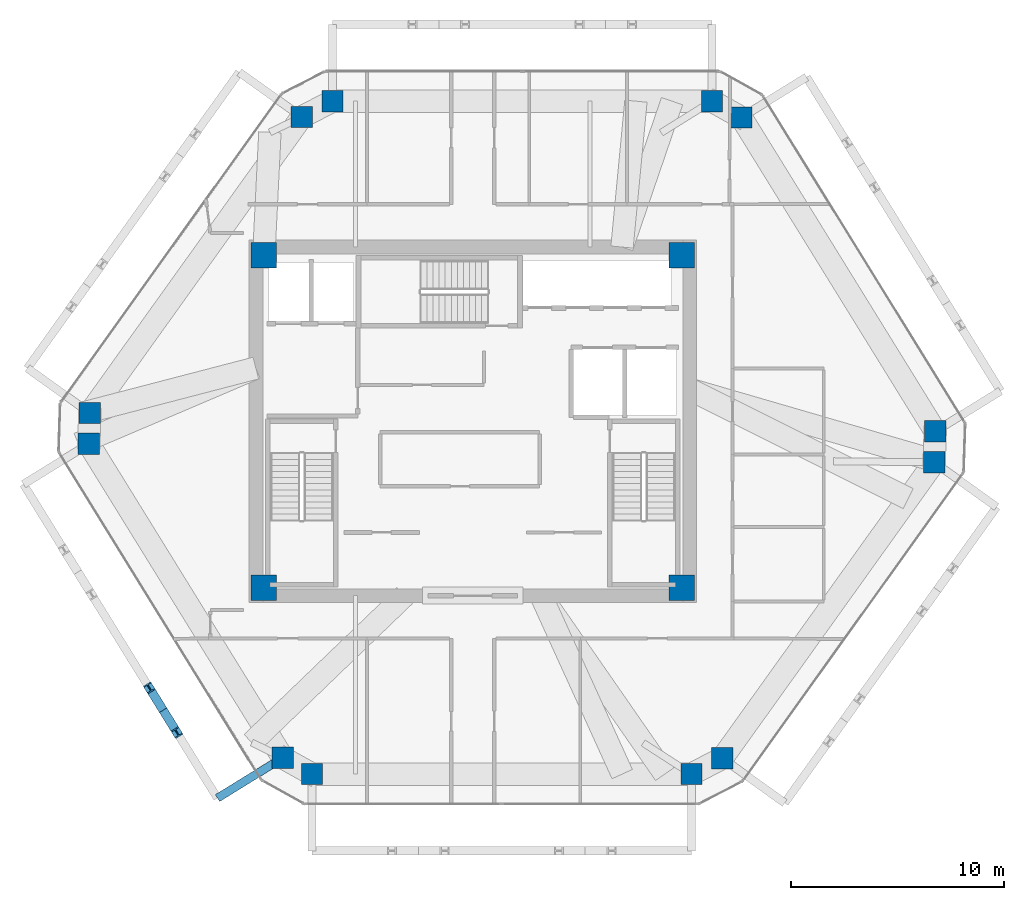
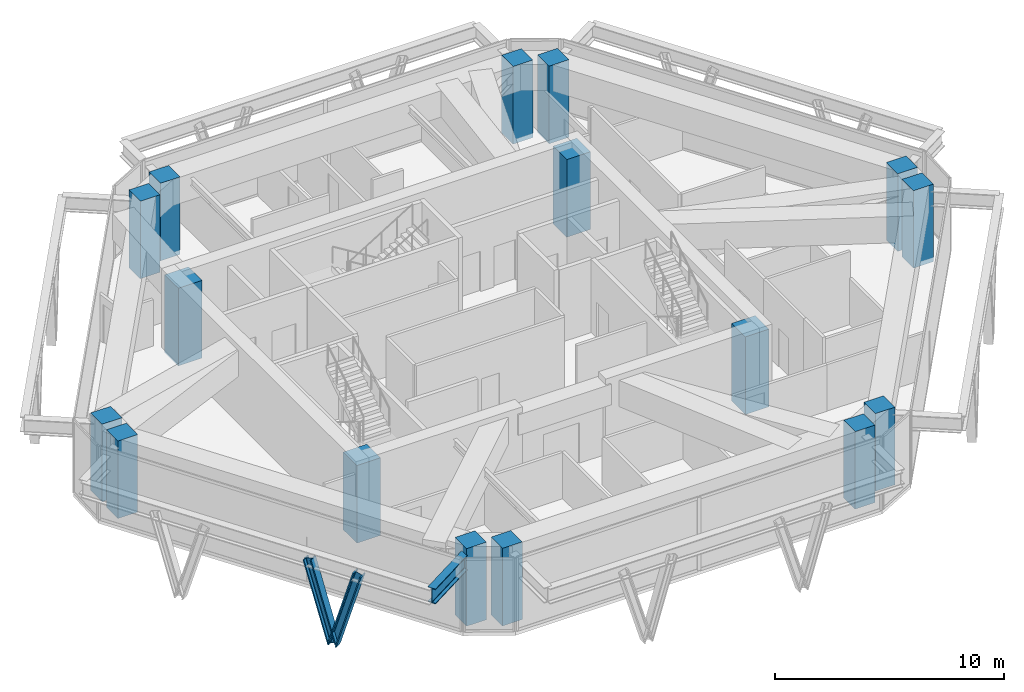
# One storey, part 1 of 11: 16 columns, 2 members, 1 beam.
"""IFC4 building model written with IfcOpenShell, lengths in metres."""

from ifc_helpers import new_model, si_unit, direction, frame, origin, origin_2d, place, context, subcontext, project, spatial, rectangle, i_section, extrude, source, transform, mapped, material, material_profile, profile_set, type_object, type_shapes, element, save


model = new_model("IFC4")

# Units and contexts
model_context = context("Model", 3, precision=1e-05, world=origin(), true_north=direction((0.0, 1.0)))
body_context = subcontext(model_context, "Body", "Model", "MODEL_VIEW")
ifc_project = project(units=[si_unit("LENGTHUNIT", "METRE"), si_unit("AREAUNIT", "SQUARE_METRE"), si_unit("VOLUMEUNIT", "CUBIC_METRE"), si_unit("PLANEANGLEUNIT", "RADIAN"), si_unit("MASSUNIT", "GRAM", prefix="KILO")], contexts=[model_context])

# Site, building, storey
site_placement = place(None, origin())
site = spatial("IfcSite", under=ifc_project, at=site_placement, CompositionType="ELEMENT")
building_placement = place(site_placement, origin())
building = spatial("IfcBuilding", under=site, at=building_placement, Name="Durnholm Broadcast Tower", CompositionType="ELEMENT")
storey_placement = place(building_placement, frame((0.0, 0.0, 209.199951171875)))
storey = spatial("IfcBuildingStorey", under=building, at=storey_placement, Name="L58", CompositionType="ELEMENT", Elevation=209.199951171875)

# Columns
ifc_material_1 = material(Name="Concrete C70/85", Category="concrete")
ifc_material_profile_1 = material_profile(ifc_material_1, rectangle(XDim=1.199951171875, YDim=1.199951171875, at=origin_2d()), Name="RC1200X1200")
ifc_profile_set_1 = profile_set([ifc_material_profile_1], Name="Concrete C70/85")
column_type_1 = type_object("IfcColumnType", Name="COL-CC-1200", PredefinedType="COLUMN", material=ifc_profile_set_1)
shared_shape_1 = source(origin(), body_context, "Body", "SweptSolid", [
    extrude(rectangle(XDim=1.199951171875, YDim=1.199951171875, at=origin_2d()), origin(), (0.0, 0.0, 1.0), 4.14013671875),
])
type_shapes(column_type_1, [shared_shape_1])
for number, where, z_axis, x_axis, name in (
    (1, (-9.800048828125, -7.800048828125, -0.239990234375), (0.0, 0.0, 1.0), (1.0, 0.0, 0.0), "L58 core corner column 1"),
    (2, (9.800048828125, -7.800048828125, -0.239990234375), (0.0, 0.0, 1.0), (1.0, 0.0, 0.0), "L58 core corner column 2"),
    (3, (9.800048828125, 7.800048828125, -0.239990234375), (0.0, 0.0, 1.0), (1.0, 0.0, 0.0), "L58 core corner column 3"),
    (4, (-9.800048828125, 7.800048828125, -0.239990234375), (0.0, 0.0, 1.0), (1.0, 0.0, 0.0), "L58 core corner column 4"),
):
    element("IfcColumn", number, at=place(storey_placement, frame(where, z_axis=z_axis, x_axis=x_axis)), inside=storey, type_object=column_type_1, Name=name, PredefinedType="COLUMN", context=body_context, shape_type="MappedRepresentation", body=[
        mapped(shared_shape_1, transform((0.0, 0.0, 0.0), x_axis=(1.0, 0.0, 0.0), y_axis=(0.0, 1.0, 0.0), z_axis=(0.0, 0.0, 1.0), scale=1.0)),
    ])
ifc_material_profile_2 = material_profile(ifc_material_1, rectangle(XDim=1.0, YDim=1.0, at=origin_2d()), Name="RC1000X1000")
ifc_profile_set_2 = profile_set([ifc_material_profile_2], Name="Concrete C70/85")
column_type_2 = type_object("IfcColumnType", Name="COL-CC-1000", PredefinedType="COLUMN", material=ifc_profile_set_2)
shared_shape_2 = source(origin(), body_context, "Body", "SweptSolid", [
    extrude(rectangle(XDim=1.0, YDim=1.0, at=origin_2d()), origin(), (0.0, 0.0, 1.0), 4.14013671875),
])
type_shapes(column_type_2, [shared_shape_2])
for number, where, z_axis, x_axis, name in (
    (5, (-8.91259765625, -15.7763671875, -0.239990234375), (0.0, 0.0, 1.0), (1.0, 0.0, 0.0), "L58 perimeter hexagonal tube column 01"),
    (6, (-18.009033203125, -1.056640625, -0.239990234375), (0.0, 0.0, 1.0), (1.0, 0.0, 0.0), "L58 perimeter hexagonal tube column 02"),
    (7, (-17.9599609375, 0.3955078125, -0.239990234375), (0.0, 0.0, 1.0), (1.0, 0.0, 0.0), "L58 perimeter hexagonal tube column 03"),
    (8, (-8.021728515625, 14.2763671875, -0.239990234375), (0.0, 0.0, 1.0), (1.0, 0.0, 0.0), "L58 perimeter hexagonal tube column 04"),
    (9, (-6.57861328125, 15.01806640625, -0.239990234375), (0.0, 0.0, 1.0), (1.0, 0.0, 0.0), "L58 perimeter hexagonal tube column 05"),
    (10, (11.217529296875, 15.01806640625, -0.239990234375), (0.0, 0.0, 1.0), (1.0, 0.0, 0.0), "L58 perimeter hexagonal tube column 06"),
    (11, (12.5908203125, 14.252197265625, -0.239990234375), (0.0, 0.0, 1.0), (1.0, 0.0, 0.0), "L58 perimeter hexagonal tube column 07"),
    (12, (21.68701171875, -0.46728515625, -0.239990234375), (0.0, 0.0, 1.0), (1.0, 0.0, 0.0), "L58 perimeter hexagonal tube column 08"),
    (13, (21.637939453125, -1.919677734375, -0.239990234375), (0.0, 0.0, 1.0), (1.0, 0.0, 0.0), "L58 perimeter hexagonal tube column 09"),
    (14, (11.69970703125, -15.80029296875, -0.239990234375), (0.0, 0.0, 1.0), (1.0, 0.0, 0.0), "L58 perimeter hexagonal tube column 10"),
    (15, (10.256591796875, -16.5419921875, -0.239990234375), (0.0, 0.0, 1.0), (1.0, 0.0, 0.0), "L58 perimeter hexagonal tube column 11"),
    (16, (-7.53955078125, -16.5419921875, -0.239990234375), (0.0, 0.0, 1.0), (1.0, 0.0, 0.0), "L58 perimeter hexagonal tube column 12"),
):
    element("IfcColumn", number, at=place(storey_placement, frame(where, z_axis=z_axis, x_axis=x_axis)), inside=storey, type_object=column_type_2, Name=name, PredefinedType="COLUMN", context=body_context, shape_type="MappedRepresentation", body=[
        mapped(shared_shape_2, transform((0.0, 0.0, 0.0), x_axis=(1.0, 0.0, 0.0), y_axis=(0.0, 1.0, 0.0), z_axis=(0.0, 0.0, 1.0), scale=1.0)),
    ])

# Beam
ifc_material_2 = material(Name="Steel ASTM A992 Grade 50", Category="steel")
ifc_material_profile_3 = material_profile(ifc_material_2, i_section(OverallWidth=0.385009765625, OverallDepth=0.802978515625, WebThickness=0.023681640625, FlangeThickness=0.0419921875, FilletRadius=0.032958984375, at=origin_2d()), Name="W30X261")
ifc_profile_set_3 = profile_set([ifc_material_profile_3], Name="Steel ASTM A992 Grade 50")
beam_type = type_object("IfcBeamType", Name="BM-EXO-TIE", PredefinedType="USERDEFINED", material=ifc_profile_set_3)
shared_shape_3 = source(origin(), body_context, "Body", "SweptSolid", [
    extrude(i_section(OverallWidth=0.385009765625, OverallDepth=0.802978515625, WebThickness=0.023681640625, FlangeThickness=0.0419921875, FilletRadius=0.032958984375, at=origin_2d()), origin(), (0.0, 0.0, 1.0), 3.4560546875),
])
type_shapes(beam_type, [shared_shape_3])
beam_placement = place(storey_placement, frame((-9.03515625, -15.85205078125, 3.1484375), z_axis=(-0.850693939061, -0.525661318764, 0.0), x_axis=(0.525661318764, -0.850693939061, 0.0)))
element("IfcBeam", 17, at=beam_placement, inside=storey, type_object=beam_type, Name="L58 exoskeleton stand-off tie bracket F6.2", ObjectType="GIRDER", PredefinedType="USERDEFINED", context=body_context, shape_type="MappedRepresentation", body=[
    mapped(shared_shape_3, transform((0.0, 0.0, 0.0), x_axis=(1.0, 0.0, 0.0), y_axis=(0.0, 1.0, 0.0), z_axis=(0.0, 0.0, 1.0), scale=1.0)),
])

# Members
ifc_material_3 = material(Name="Steel ASTM A913 Grade 65", Category="steel")
ifc_material_profile_4 = material_profile(ifc_material_3, i_section(OverallWidth=0.412109375, OverallDepth=0.434814453125, WebThickness=0.035888671875, FlangeThickness=0.057373046875, FilletRadius=0.030517578125, at=origin_2d()), Name="W14X311")
ifc_profile_set_4 = profile_set([ifc_material_profile_4], Name="Steel ASTM A913 Grade 65")
member_type = type_object("IfcMemberType", Name="STL-DG-W14X311", PredefinedType="BRACE", material=ifc_profile_set_4)
shared_shape_4 = source(origin(), body_context, "Body", "SweptSolid", [
    extrude(i_section(OverallWidth=0.412109375, OverallDepth=0.434814453125, WebThickness=0.035888671875, FlangeThickness=0.057373046875, FilletRadius=0.030517578125, at=origin_2d()), origin(), (0.0, 0.0, 1.0), 4.31982421875),
])
type_shapes(member_type, [shared_shape_4])
for number, where, z_axis, x_axis, name in (
    (18, (-14.522216796875, -13.54736328125, -0.991455078125), (-0.150107872479, 0.242964511969, 0.958350600012), (-0.850732935913, -0.525598203719, 0.0), "L58 stand-off diagrid brace F6.D2.1"),
    (19, (-14.522216796875, -13.54736328125, -0.991455078125), (0.150163114843, -0.242962450399, 0.958342468347), (0.850644447398, 0.525741404219, 0.0), "L58 stand-off diagrid brace F6.D2.2"),
):
    element("IfcMember", number, at=place(storey_placement, frame(where, z_axis=z_axis, x_axis=x_axis)), inside=storey, type_object=member_type, Name=name, PredefinedType="BRACE", context=body_context, shape_type="MappedRepresentation", body=[
        mapped(shared_shape_4, transform((0.0, 0.0, 0.0), x_axis=(1.0, 0.0, 0.0), y_axis=(0.0, 1.0, 0.0), z_axis=(0.0, 0.0, 1.0), scale=1.0)),
    ])

save(model, "model.ifc")
